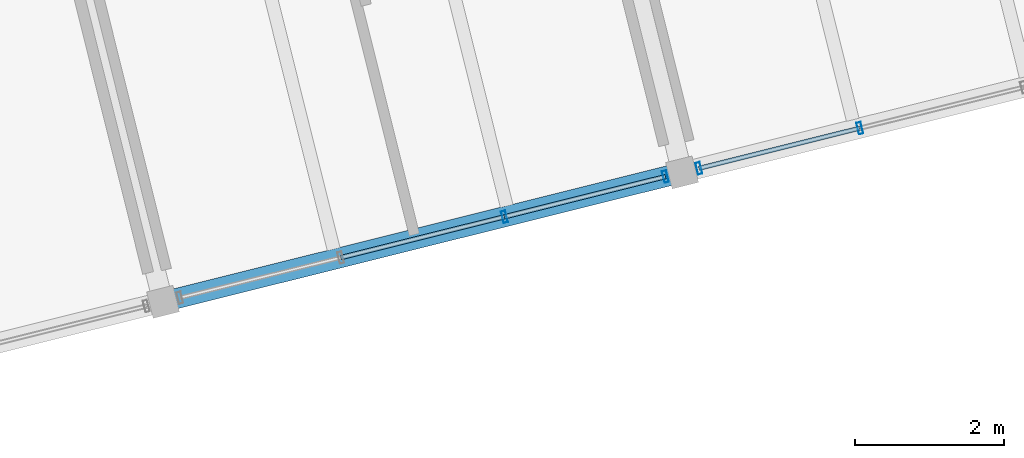
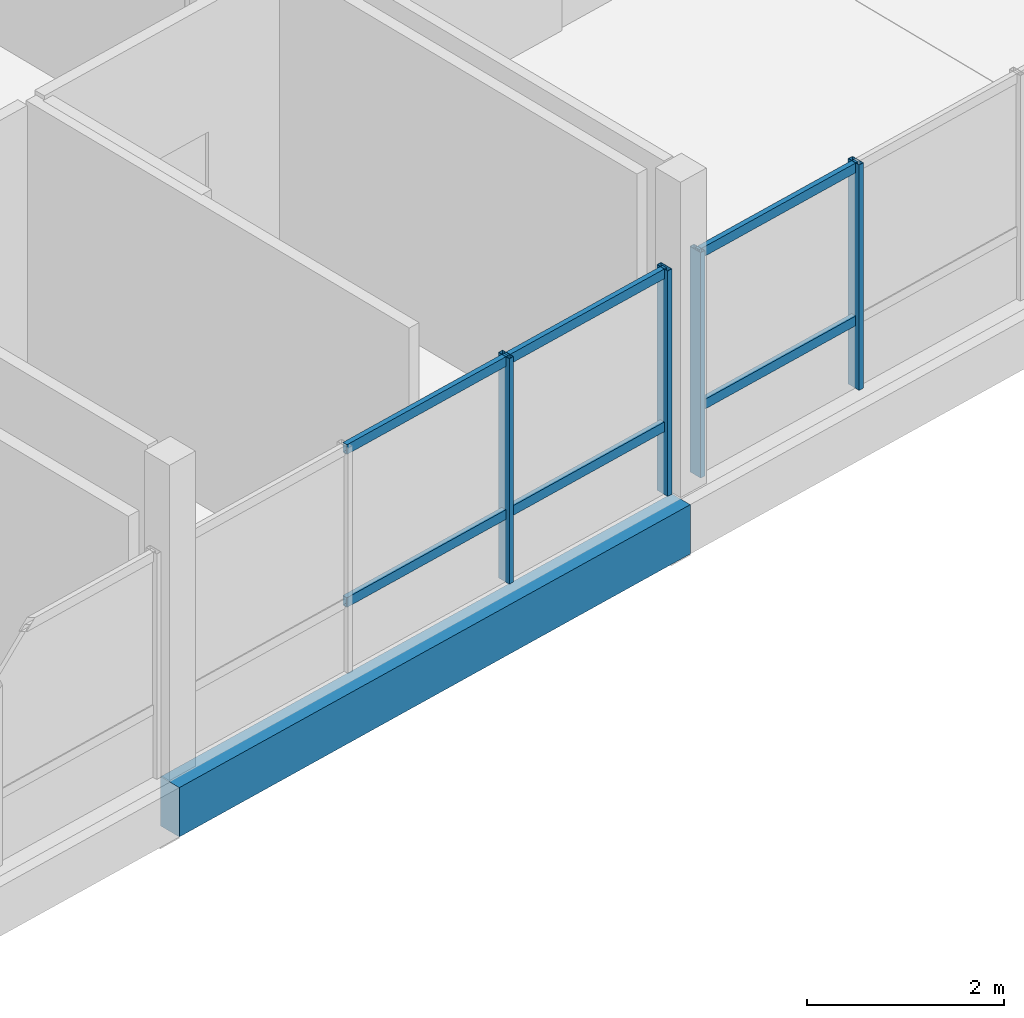
# One storey, part 6 of 28: 10 members, 1 beam, 2 elements without a shape of their own.
"""IFC4 building model written with IfcOpenShell, lengths in metres."""

from ifc_helpers import new_model, si_unit, direction, frame, origin, origin_2d, place, context, subcontext, project, spatial, rectangle, hollow_rectangle, extrude, material, layer, layer_set, material_profile, profile_set, type_object, element, aggregate, save


model = new_model("IFC4")

# Units and contexts
model_context = context("Model", 3, precision=1e-05, world=origin(), true_north=direction((0.0, 1.0)))
body_context = subcontext(model_context, "Body", "Model", "MODEL_VIEW")
ifc_project = project(units=[si_unit("LENGTHUNIT", "METRE"), si_unit("AREAUNIT", "SQUARE_METRE"), si_unit("VOLUMEUNIT", "CUBIC_METRE"), si_unit("PLANEANGLEUNIT", "RADIAN"), si_unit("MASSUNIT", "GRAM", prefix="KILO")], contexts=[model_context])

# Site, building, storey
site_placement = place(None, origin())
site = spatial("IfcSite", under=ifc_project, at=site_placement, CompositionType="ELEMENT")
building_placement = place(site_placement, origin())
building = spatial("IfcBuilding", under=site, at=building_placement, Name="Meriwether Solvik Hall", CompositionType="ELEMENT")
storey_placement = place(building_placement, frame((0.0, 0.0, 45.60009765625)))
storey = spatial("IfcBuildingStorey", under=building, at=storey_placement, Name="L11", CompositionType="ELEMENT", Elevation=45.60009765625)

# Beam
ifc_material_1 = material(Name="Glulam Douglas-Fir 24F-V8 GL28h", Category="wood")
ifc_material_profile_1 = material_profile(ifc_material_1, rectangle(XDim=0.27294921875, YDim=0.610107421875, at=origin_2d()), Name="GLB-273X610")
ifc_profile_set_1 = profile_set([ifc_material_profile_1], Name="Glulam Douglas-Fir 24F-V8 GL28h")
beam_type = type_object("IfcBeamType", Name="BM-GL-273X610", PredefinedType="SPANDREL", material=ifc_profile_set_1)
beam_placement = place(storey_placement, frame((82.96044921875, 44.780517578125, -0.505126953125), z_axis=(0.970299871507, 0.241905269381, 0.0), x_axis=(-0.241905269381, 0.970299871507, 0.0)))
element("IfcBeam", 1, at=beam_placement, inside=storey, type_object=beam_type, Name="Tower Girder TA:T3-T4 (L11)", PredefinedType="SPANDREL", context=body_context, shape_type="SweptSolid", body=[
    extrude(rectangle(XDim=0.27294921875, YDim=0.610107421875, at=origin_2d()), origin(), (0.0, 0.0, 1.0), 7.199951171875),
])

# Curtain wall, members
ifc_material_2 = material(Name="Thermally Broken Anodised Aluminium 6063-T6 and Low-E Glass", Category="aluminium")
ifc_layer_1 = layer(ifc_material_2, 0.179931640625)
ifc_layer_set_1 = layer_set([ifc_layer_1], Name="Thermally Broken Anodised Aluminium 6063-T6 and Low-E Glass")
curtain_wall_type_1 = type_object("IfcCurtainWallType", Name="CW-UNIT-D", PredefinedType="USERDEFINED", material=ifc_layer_set_1)
curtain_wall_1_placement = place(storey_placement, origin())
curtain_wall_1 = element("IfcCurtainWall", 2, at=curtain_wall_1_placement, inside=storey, type_object=curtain_wall_type_1, Name="Curtain Wall E0_B2 (L11)", ObjectType="UNITISED CURTAIN WALL", PredefinedType="USERDEFINED")
ifc_material_3 = material(Name="Anodised Aluminium 6063-T6", Category="aluminium")
ifc_material_profile_2 = material_profile(ifc_material_3, hollow_rectangle(XDim=0.06005859375, YDim=0.159912109375, WallThickness=0.00390625, at=origin_2d()), Name="CWM-60X160")
ifc_profile_set_2 = profile_set([ifc_material_profile_2], Name="Anodised Aluminium 6063-T6")
member_type_1 = type_object("IfcMemberType", Name="CW-MUL-60X160", PredefinedType="MULLION", material=ifc_profile_set_2)
member_1_placement = place(storey_placement, frame((89.720947265625, 46.466064453125, 0.0), z_axis=(0.0, 0.0, 1.0), x_axis=(-0.970295725693, -0.241921897937, 0.0)))
member_1 = element("IfcMember", 3, at=member_1_placement, type_object=member_type_1, Name="Curtain Wall Mullion 1", PredefinedType="MULLION", context=body_context, shape_type="SweptSolid", body=[
    extrude(hollow_rectangle(XDim=0.06005859375, YDim=0.159912109375, WallThickness=0.00390625, at=origin_2d()), origin(), (0.0, 0.0, 1.0), 2.789794921875),
])
member_2_placement = place(storey_placement, frame((87.554931640625, 45.926025390625, 0.0), z_axis=(0.0, 0.0, 1.0), x_axis=(-0.970295725693, -0.241921897937, 0.0)))
member_2 = element("IfcMember", 4, at=member_2_placement, type_object=member_type_1, Name="Curtain Wall Mullion 2", PredefinedType="MULLION", context=body_context, shape_type="SweptSolid", body=[
    extrude(hollow_rectangle(XDim=0.06005859375, YDim=0.159912109375, WallThickness=0.00390625, at=origin_2d()), origin(), (0.0, 0.0, 1.0), 2.789794921875),
])

ifc_material_4 = material(Name="Thermally Broken Anodised Aluminium 6063-T6 and Low-E Glass", Category="aluminium")
ifc_layer_2 = layer(ifc_material_4, 0.179931640625)
ifc_layer_set_2 = layer_set([ifc_layer_2], Name="Thermally Broken Anodised Aluminium 6063-T6 and Low-E Glass")
curtain_wall_type_2 = type_object("IfcCurtainWallType", Name="CW-UNIT-E", PredefinedType="USERDEFINED", material=ifc_layer_set_2)
curtain_wall_2_placement = place(storey_placement, origin())
curtain_wall_2 = element("IfcCurtainWall", 5, at=curtain_wall_2_placement, inside=storey, type_object=curtain_wall_type_2, Name="Curtain Wall E0_B3 (L11)", ObjectType="UNITISED CURTAIN WALL", PredefinedType="USERDEFINED")
member_3_placement = place(storey_placement, frame((92.338134765625, 47.11865234375, 0.0), z_axis=(0.0, 0.0, 1.0), x_axis=(-0.97029573429, -0.241921863457, 0.0)))
member_3 = element("IfcMember", 6, at=member_3_placement, type_object=member_type_1, Name="Curtain Wall Mullion 3", PredefinedType="MULLION", context=body_context, shape_type="SweptSolid", body=[
    extrude(hollow_rectangle(XDim=0.06005859375, YDim=0.159912109375, WallThickness=0.00390625, at=origin_2d()), origin(), (0.0, 0.0, 1.0), 2.789794921875),
])
member_4_placement = place(storey_placement, frame((90.172119140625, 46.57861328125, 0.0), z_axis=(0.0, 0.0, 1.0), x_axis=(-0.97029573429, -0.241921863457, 0.0)))
member_4 = element("IfcMember", 7, at=member_4_placement, type_object=member_type_1, Name="Curtain Wall Mullion 4", PredefinedType="MULLION", context=body_context, shape_type="SweptSolid", body=[
    extrude(hollow_rectangle(XDim=0.06005859375, YDim=0.159912109375, WallThickness=0.00390625, at=origin_2d()), origin(), (0.0, 0.0, 1.0), 2.789794921875),
])

# Member
ifc_material_5 = material(Name="Anodised Aluminium 6063-T6", Category="aluminium")
ifc_material_profile_3 = material_profile(ifc_material_5, hollow_rectangle(XDim=0.06005859375, YDim=0.1201171875, WallThickness=0.00390625, at=origin_2d()), Name="CWT-60X120")
ifc_profile_set_3 = profile_set([ifc_material_profile_3], Name="Anodised Aluminium 6063-T6")
member_type_2 = type_object("IfcMemberType", Name="CW-TRN-60X120", PredefinedType="USERDEFINED", material=ifc_profile_set_3)
member_5_placement = place(storey_placement, frame((89.720947265625, 46.466064453125, 0.8369140625), z_axis=(-0.970296702868, -0.241917978668, 0.0), x_axis=(0.241917978668, -0.970296702868, 0.0)))
member_5 = element("IfcMember", 8, at=member_5_placement, type_object=member_type_2, Name="Curtain Wall Transom 1-sill", ObjectType="TRANSOM", PredefinedType="USERDEFINED", context=body_context, shape_type="SweptSolid", body=[
    extrude(hollow_rectangle(XDim=0.06005859375, YDim=0.1201171875, WallThickness=0.00390625, at=origin_2d()), origin(), (0.0, 0.0, 1.0), 2.232421875),
])

member_6_placement = place(storey_placement, frame((89.720947265625, 46.466064453125, 2.72998046875), z_axis=(-0.970296702868, -0.241917978668, 0.0), x_axis=(0.241917978668, -0.970296702868, 0.0)))
member_6 = element("IfcMember", 9, at=member_6_placement, type_object=member_type_2, Name="Curtain Wall Transom 1-head", ObjectType="TRANSOM", PredefinedType="USERDEFINED", context=body_context, shape_type="SweptSolid", body=[
    extrude(hollow_rectangle(XDim=0.06005859375, YDim=0.1201171875, WallThickness=0.00390625, at=origin_2d()), origin(), (0.0, 0.0, 1.0), 2.232421875),
])

member_7_placement = place(storey_placement, frame((87.554931640625, 45.926025390625, 0.8369140625), z_axis=(-0.970287814054, -0.241953627576, 0.0), x_axis=(0.241953627576, -0.970287814054, 0.0)))
member_7 = element("IfcMember", 10, at=member_7_placement, type_object=member_type_2, Name="Curtain Wall Transom 2-sill", ObjectType="TRANSOM", PredefinedType="USERDEFINED", context=body_context, shape_type="SweptSolid", body=[
    extrude(hollow_rectangle(XDim=0.06005859375, YDim=0.1201171875, WallThickness=0.00390625, at=origin_2d()), origin(), (0.0, 0.0, 1.0), 2.270263671875),
])

member_8_placement = place(storey_placement, frame((87.554931640625, 45.926025390625, 2.72998046875), z_axis=(-0.970287814054, -0.241953627576, 0.0), x_axis=(0.241953627576, -0.970287814054, 0.0)))
member_8 = element("IfcMember", 11, at=member_8_placement, type_object=member_type_2, Name="Curtain Wall Transom 2-head", ObjectType="TRANSOM", PredefinedType="USERDEFINED", context=body_context, shape_type="SweptSolid", body=[
    extrude(hollow_rectangle(XDim=0.06005859375, YDim=0.1201171875, WallThickness=0.00390625, at=origin_2d()), origin(), (0.0, 0.0, 1.0), 2.270263671875),
])

aggregate(curtain_wall_1, [member_1, member_2, member_5, member_6, member_7, member_8])

member_9_placement = place(storey_placement, frame((92.338134765625, 47.11865234375, 0.8369140625), z_axis=(-0.970296702868, -0.241917978668, 0.0), x_axis=(0.241917978668, -0.970296702868, 0.0)))
member_9 = element("IfcMember", 12, at=member_9_placement, type_object=member_type_2, Name="Curtain Wall Transom 3-sill", ObjectType="TRANSOM", PredefinedType="USERDEFINED", context=body_context, shape_type="SweptSolid", body=[
    extrude(hollow_rectangle(XDim=0.06005859375, YDim=0.1201171875, WallThickness=0.00390625, at=origin_2d()), origin(), (0.0, 0.0, 1.0), 2.232421875),
])

member_10_placement = place(storey_placement, frame((92.338134765625, 47.11865234375, 2.72998046875), z_axis=(-0.970296702868, -0.241917978668, 0.0), x_axis=(0.241917978668, -0.970296702868, 0.0)))
member_10 = element("IfcMember", 13, at=member_10_placement, type_object=member_type_2, Name="Curtain Wall Transom 3-head", ObjectType="TRANSOM", PredefinedType="USERDEFINED", context=body_context, shape_type="SweptSolid", body=[
    extrude(hollow_rectangle(XDim=0.06005859375, YDim=0.1201171875, WallThickness=0.00390625, at=origin_2d()), origin(), (0.0, 0.0, 1.0), 2.232421875),
])

aggregate(curtain_wall_2, [member_3, member_4, member_9, member_10])

save(model, "model.ifc")
